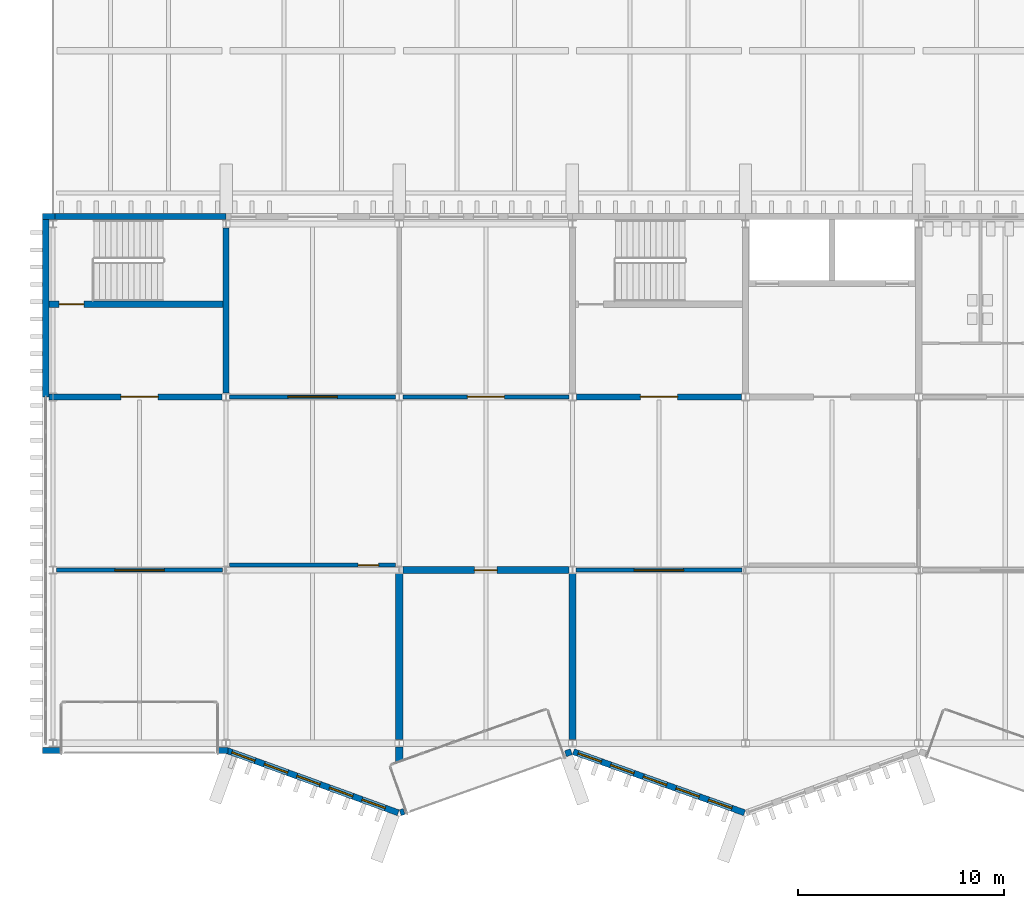
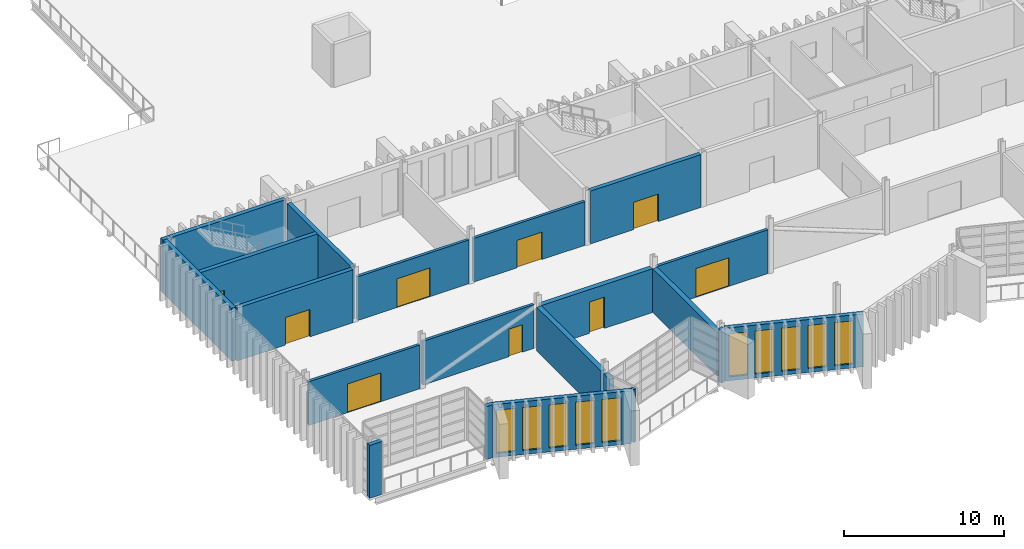
# One storey, part 56 of 96: 22 walls, 10 windows, 9 doors, 19 openings.
"""IFC4 building model written with IfcOpenShell, lengths in metres."""

import ifcopenshell
import ifcopenshell.guid

model = None  # the IFC model being written
_history = None  # IfcOwnerHistory: only IFC2X3 demands one
_inside = {}  # id of a spatial element -> (the spatial element, [elements in it])
_under = {}  # id of a project, library or spatial element -> (it, [spatial elements below it])
_declared = {}  # id of a project -> (the project, [libraries it declares])
_typed = {}  # id of a type object -> (the type object, [elements of that type])
_made_of = {}  # id of a material, layer set ... -> (it, [elements and type objects made of it])


def new_model(schema):
    """Start an empty IFC model of exactly this schema.

    Asked for "IFC4X3", IfcOpenShell would pick the latest addendum, in which some entities
    have other attributes; the version numbers below select the first issue.
    IFC2X3 requires an IfcOwnerHistory on every rooted entity: one is made here for all.
    """
    global model, _history
    if schema == "IFC4X3":
        model = ifcopenshell.file(schema_version=(4, 3, 0, 0))
    else:
        model = ifcopenshell.file(schema=schema)
    _inside.clear()
    _under.clear()
    _declared.clear()
    _typed.clear()
    _made_of.clear()
    _history = None
    if model.schema == "IFC2X3":
        org = make("IfcOrganization", Name="unknown")
        user = make(
            "IfcPersonAndOrganization",
            ThePerson=make("IfcPerson", FamilyName="unknown"),
            TheOrganization=org,
        )
        app = make(
            "IfcApplication",
            ApplicationDeveloper=org,
            Version="unknown",
            ApplicationFullName="unknown",
            ApplicationIdentifier="unknown",
        )
        _history = make(
            "IfcOwnerHistory",
            OwningUser=user,
            OwningApplication=app,
            ChangeAction="ADDED",
            CreationDate=0,
        )
    return model


def make(cls, **values):
    """One entity of the class cls with the attributes given. An attribute that is None is left unset."""
    return model.create_entity(
        cls, **{name: value for name, value in values.items() if value is not None}
    )


def rooted(cls, **values):
    """An entity with a GlobalId (a new one), such as an element, a storey or a relation."""
    return make(cls, GlobalId=ifcopenshell.guid.new(), OwnerHistory=_history, **values)


def si_unit(unit_type, name, prefix=None):
    """IfcSIUnit, for example si_unit("LENGTHUNIT", "METRE", prefix="MILLI")."""
    return make("IfcSIUnit", UnitType=unit_type, Prefix=prefix, Name=name)


def assignment(units):
    """IfcUnitAssignment: the units of a project."""
    return None if units is None else make("IfcUnitAssignment", Units=units)


def point(xyz):
    """IfcCartesianPoint."""
    return None if xyz is None else make("IfcCartesianPoint", Coordinates=xyz)


def direction(xyz):
    """IfcDirection."""
    return None if xyz is None else make("IfcDirection", DirectionRatios=xyz)


def frame(location, z_axis=None, x_axis=None):
    """IfcAxis2Placement3D, a coordinate frame: its origin and axes. An axis left out is left unset."""
    return make(
        "IfcAxis2Placement3D",
        Location=point(location),
        Axis=direction(z_axis),
        RefDirection=direction(x_axis),
    )


def frame_2d(location, x_axis=None):
    """IfcAxis2Placement2D, a coordinate frame in the plane: its origin and x axis."""
    return make(
        "IfcAxis2Placement2D", Location=point(location), RefDirection=direction(x_axis)
    )


def origin():
    """The frame at (0, 0, 0) with its axes left unset."""
    return frame((0.0, 0.0, 0.0))


def place(relative_to, where):
    """IfcLocalPlacement: puts the frame where relative to a parent placement (None: the world)."""
    return make(
        "IfcLocalPlacement", PlacementRelTo=relative_to, RelativePlacement=where
    )


def context(
    kind, dimensions, precision=None, world=None, true_north=None, identifier=None
):
    """IfcGeometricRepresentationContext, for example the 3D "Model" context."""
    return make(
        "IfcGeometricRepresentationContext",
        ContextIdentifier=identifier,
        ContextType=kind,
        CoordinateSpaceDimension=dimensions,
        Precision=precision,
        WorldCoordinateSystem=world,
        TrueNorth=true_north,
    )


def subcontext(parent, identifier, kind, view, scale=None):
    """IfcGeometricRepresentationSubContext, for example "Body" below "Model"."""
    return make(
        "IfcGeometricRepresentationSubContext",
        ContextIdentifier=identifier,
        ContextType=kind,
        ParentContext=parent,
        TargetScale=scale,
        TargetView=view,
    )


def project(units=None, contexts=None):
    """IfcProject with its units and contexts."""
    return rooted(
        "IfcProject",
        Name="project",
        RepresentationContexts=contexts,
        UnitsInContext=assignment(units),
    )


def spatial(cls, under=None, at=None, **own):
    """A site, building, storey or space (cls), placed at a placement, below another one or the project."""
    s = rooted(cls, ObjectPlacement=at, **own)
    if under is not None:
        _under.setdefault(under.id(), (under, []))[1].append(s)
    return s


def profile(cls, at=None, kind="AREA", **sizes):
    """A parametric profile (cls). Its sizes go by their IFC names, for example OverallWidth=200.0."""
    return make(cls, ProfileType=kind, Position=at, **sizes)


def rectangle(**sizes):
    """IfcRectangleProfileDef."""
    return profile("IfcRectangleProfileDef", **sizes)


def extrude(swept, where, along, depth):
    """IfcExtrudedAreaSolid: the profile swept, set in the frame where, extruded along a direction by depth."""
    return make(
        "IfcExtrudedAreaSolid",
        SweptArea=swept,
        Position=where,
        ExtrudedDirection=direction(along),
        Depth=depth,
    )


def shape(context_of_items, identifier, shape_type, items):
    """IfcShapeRepresentation: the items that make up one representation, for example the "Body"."""
    return make(
        "IfcShapeRepresentation",
        ContextOfItems=context_of_items,
        RepresentationIdentifier=identifier,
        RepresentationType=shape_type,
        Items=items,
    )


def material(Name=None, Category=None):
    """IfcMaterial."""
    return make("IfcMaterial", Name=Name, Category=Category)


def layer(
    of_material, thickness, ventilated=None, Name=None, Category=None, Priority=None
):
    """IfcMaterialLayer: one layer of a wall or slab, of a material (None: an air gap)."""
    return make(
        "IfcMaterialLayer",
        Material=of_material,
        LayerThickness=thickness,
        IsVentilated=ventilated,
        Name=Name,
        Category=Category,
        Priority=Priority,
    )


def layer_set(layers, Name=None):
    """IfcMaterialLayerSet."""
    return make("IfcMaterialLayerSet", MaterialLayers=layers, LayerSetName=Name)


def made_of(thing, what):
    """Note that an element or type object is made of a material, layer set ...; save() writes the relation."""
    if what is not None:
        _made_of.setdefault(what.id(), (what, []))[1].append(thing)
    return thing


def type_object(cls, material=None, **own):
    """A type object (cls), such as IfcWallType, which elements share."""
    return made_of(rooted(cls, **own), material)


def element(
    cls,
    number,
    at=None,
    inside=None,
    cuts=None,
    type_object=None,
    material=None,
    context=None,
    identifier="Body",
    shape_type=None,
    held_by="IfcProductDefinitionShape",
    body=None,
    shapes=None,
    **own,
):
    """One element of the class cls, such as IfcWall. Its Tag is "e" and its number.

    at: its placement. inside: the storey or other place that contains it. cuts: it is an
    opening in that element (IfcRelVoidsElement). A single representation is given by context,
    identifier, shape_type and body (its items); several are given by shapes. held_by: the class
    of the entity that holds the representations. save() writes the other relations.
    """
    e = rooted(cls, Tag="e%d" % number, ObjectPlacement=at, **own)
    if body is not None:
        shapes = [shape(context, identifier, shape_type, body)]
    if shapes is not None:
        e.Representation = make(held_by, Representations=shapes)
    if inside is not None:
        _inside.setdefault(inside.id(), (inside, []))[1].append(e)
    if cuts is not None:
        rooted(
            "IfcRelVoidsElement", RelatingBuildingElement=cuts, RelatedOpeningElement=e
        )
    if type_object is not None:
        _typed.setdefault(type_object.id(), (type_object, []))[1].append(e)
    return made_of(e, material)


def fill(opening, filler):
    """IfcRelFillsElement: the door or window that sits in an opening."""
    return rooted(
        "IfcRelFillsElement",
        RelatingOpeningElement=opening,
        RelatedBuildingElement=filler,
    )


def aggregate(whole, parts):
    """IfcRelAggregates: a whole, such as a stair, and the parts it consists of."""
    return rooted("IfcRelAggregates", RelatingObject=whole, RelatedObjects=parts)


def save(model, path):
    """Write the relations noted so far, then the file.

    IfcRelAggregates (storeys below a building ...), IfcRelContainedInSpatialStructure (elements
    in a storey), IfcRelDefinesByType, IfcRelAssociatesMaterial and IfcRelDeclares: one each for
    every whole, place, type object, material and project.
    """
    for whole, parts in _under.values():
        aggregate(whole, parts)
    for where, things in _inside.values():
        rooted(
            "IfcRelContainedInSpatialStructure",
            RelatedElements=things,
            RelatingStructure=where,
        )
    for kind, things in _typed.values():
        rooted("IfcRelDefinesByType", RelatedObjects=things, RelatingType=kind)
    for what, things in _made_of.values():
        rooted("IfcRelAssociatesMaterial", RelatedObjects=things, RelatingMaterial=what)
    for by, libraries in _declared.values():
        rooted("IfcRelDeclares", RelatingContext=by, RelatedDefinitions=libraries)
    model.write(path)


model = new_model("IFC4")

# Units and contexts
model_context = context("Model", 3, precision=1e-05, world=origin(), true_north=direction((0.0, 1.0)))
body_context = subcontext(model_context, "Body", "Model", "MODEL_VIEW")
ifc_project = project(units=[si_unit("LENGTHUNIT", "METRE"), si_unit("AREAUNIT", "SQUARE_METRE"), si_unit("VOLUMEUNIT", "CUBIC_METRE"), si_unit("PLANEANGLEUNIT", "RADIAN"), si_unit("MASSUNIT", "GRAM", prefix="KILO")], contexts=[model_context])

# Site, building, storey
site_placement = place(None, origin())
site = spatial("IfcSite", under=ifc_project, at=site_placement, CompositionType="ELEMENT")
building_placement = place(site_placement, origin())
building = spatial("IfcBuilding", under=site, at=building_placement, Name="Cresset Court Congress Hotel", CompositionType="ELEMENT")
storey_placement = place(building_placement, frame((0.0, 0.0, 6.0)))
storey = spatial("IfcBuildingStorey", under=building, at=storey_placement, Name="L01", CompositionType="ELEMENT", Elevation=6.0)

# Wall, opening, door
ifc_material_1 = material(Name="Double gypsum board leaves on steel studs with mineral wool", Category="steel")
ifc_layer_1 = layer(ifc_material_1, 0.35009765625)
ifc_layer_set_1 = layer_set([ifc_layer_1], Name="Acoustic double-leaf boardroom wall 350")
wall_type_1 = type_object("IfcWallType", Name="Acoustic double-leaf boardroom wall 350", PredefinedType="PARTITIONING", material=ifc_layer_set_1)
wall_1_placement = place(storey_placement, frame((25.375, 8.39990234375, 0.0), z_axis=(0.0, 0.0, 1.0), x_axis=(1.0, 0.0, 0.0)))
wall_1 = element("IfcWall", 1, at=wall_1_placement, inside=storey, type_object=wall_type_1, Name="Boardroom acoustic wall", PredefinedType="PARTITIONING", context=body_context, shape_type="SweptSolid", body=[
    extrude(rectangle(XDim=8.050048828125, YDim=0.35009765625, at=frame_2d((4.02490234375, 0.0))), origin(), (0.0, 0.0, 1.0), 3.35009765625),
])
opening_1_placement = place(wall_1_placement, frame((3.47509765625, 0.0, 0.0)))
opening_1 = element("IfcOpeningElement", 2, at=opening_1_placement, cuts=wall_1, Name="Opening DB-01-07", PredefinedType="OPENING", context=body_context, shape_type="SweptSolid", body=[
    extrude(rectangle(XDim=1.10009765625, YDim=2.39990234375, at=frame_2d((0.550048828125, 1.199951171875))), frame((0.0, 0.18505859375, 0.0), z_axis=(0.0, -1.0, 0.0), x_axis=(1.0, 0.0, 0.0)), (0.0, 0.0, 1.0), 0.3701171875),
])
ifc_material_2 = material(Name="Solid-core timber with acoustic seals", Category="wood")
door_type_1 = type_object("IfcDoorType", Name="Boardroom acoustic door FD30 1100x2400", OperationType="SINGLE_SWING_LEFT", PredefinedType="DOOR", material=ifc_material_2)
door_1_placement = place(opening_1_placement, origin())
door_1 = element("IfcDoor", 3, at=door_1_placement, inside=storey, type_object=door_type_1, Name="Boardroom door", OperationType="SINGLE_SWING_LEFT", OverallHeight=2.39990234375, OverallWidth=1.10009765625, PredefinedType="DOOR", context=body_context, shape_type="SweptSolid", body=[
    extrude(rectangle(XDim=1.10009765625, YDim=2.39990234375, at=frame_2d((0.550048828125, 1.199951171875))), frame((0.0, 0.02490234375, 0.0), z_axis=(0.0, -1.0, 0.0), x_axis=(1.0, 0.0, 0.0)), (0.0, 0.0, 1.0), 0.050048828125),
])
fill(opening_1, door_1)

# Walls
wall_2_placement = place(storey_placement, frame((25.199951171875, -0.895263671875, 0.0), z_axis=(0.0, 0.0, 1.0), x_axis=(0.0, 1.0, 0.0)))
element("IfcWall", 4, at=wall_2_placement, inside=storey, type_object=wall_type_1, Name="Boardroom acoustic wall", PredefinedType="PARTITIONING", context=body_context, shape_type="SweptSolid", body=[
    extrude(rectangle(XDim=0.72021484375, YDim=0.35009765625, at=frame_2d((0.360107421875, 0.0))), origin(), (0.0, 0.0, 1.0), 3.35009765625),
])
for number, where, z_axis, x_axis, name in (
    (5, (25.199951171875, 0.175048828125, 0.0), (0.0, 0.0, 1.0), (0.0, 1.0, 0.0), "Boardroom acoustic wall"),
    (6, (33.60009765625, 0.175048828125, 0.0), (0.0, 0.0, 1.0), (0.0, 1.0, 0.0), "Boardroom acoustic wall"),
):
    element("IfcWall", number, at=place(storey_placement, frame(where, z_axis=z_axis, x_axis=x_axis)), inside=storey, type_object=wall_type_1, Name=name, PredefinedType="PARTITIONING", context=body_context, shape_type="SweptSolid", body=[
        extrude(rectangle(XDim=8.050048828125, YDim=0.35009765625, at=frame_2d((4.02490234375, 0.0))), origin(), (0.0, 0.0, 1.0), 3.35009765625),
    ])
ifc_material_3 = material(Name="Concrete C50", Category="concrete")
ifc_layer_2 = layer(ifc_material_3, 0.300048828125)
ifc_layer_set_2 = layer_set([ifc_layer_2], Name="Core wall 300 Concrete C50")
wall_type_2 = type_object("IfcWallType", Name="Core wall 300 Concrete C50", PredefinedType="SHEAR", material=ifc_layer_set_2)
wall_3_placement = place(storey_placement, frame((16.800048828125, 17.0, 0.0), z_axis=(0.0, 0.0, 1.0), x_axis=(0.0, 1.0, 0.0)))
element("IfcWall", 7, at=wall_3_placement, inside=storey, type_object=wall_type_2, Name="Core wall ST-B1", PredefinedType="SHEAR", context=body_context, shape_type="SweptSolid", body=[
    extrude(rectangle(XDim=8.0, YDim=0.300048828125, at=frame_2d((4.0, 0.0))), origin(), (0.0, 0.0, 1.0), 4.050048828125),
])

# Wall, opening, door
wall_4_placement = place(storey_placement, frame((8.199951171875, 16.800048828125, 0.0), z_axis=(0.0, 0.0, 1.0), x_axis=(1.0, 0.0, 0.0)))
wall_4 = element("IfcWall", 8, at=wall_4_placement, inside=storey, type_object=wall_type_2, Name="Core wall ST-B1", PredefinedType="SHEAR", context=body_context, shape_type="SweptSolid", body=[
    extrude(rectangle(XDim=8.400146484375, YDim=0.300048828125, at=frame_2d((4.2001953125, 0.0))), origin(), (0.0, 0.0, 1.0), 4.050048828125),
])
opening_2_placement = place(wall_4_placement, frame((3.5, 0.0, 0.0)))
opening_2 = element("IfcOpeningElement", 9, at=opening_2_placement, cuts=wall_4, Name="Opening DB-01-46", PredefinedType="OPENING", context=body_context, shape_type="SweptSolid", body=[
    extrude(rectangle(XDim=1.800048828125, YDim=2.10009765625, at=frame_2d((0.89990234375, 1.050048828125))), frame((0.0, 0.159912109375, 0.0), z_axis=(0.0, -1.0, 0.0), x_axis=(1.0, 0.0, 0.0)), (0.0, 0.0, 1.0), 0.320068359375),
])
ifc_material_4 = material(Name="Timber and steel frame", Category="steel")
door_type_2 = type_object("IfcDoorType", Name="Lobby fire door FD60 double 1800x2100", OperationType="DOUBLE_DOOR_SINGLE_SWING", PredefinedType="DOOR", material=ifc_material_4)
door_2_placement = place(opening_2_placement, origin())
door_2 = element("IfcDoor", 10, at=door_2_placement, inside=storey, type_object=door_type_2, Name="Stair lobby door ST-B1", OperationType="DOUBLE_DOOR_SINGLE_SWING", OverallHeight=2.10009765625, OverallWidth=1.800048828125, PredefinedType="DOOR", context=body_context, shape_type="SweptSolid", body=[
    extrude(rectangle(XDim=1.800048828125, YDim=2.10009765625, at=frame_2d((0.89990234375, 1.050048828125))), frame((0.0, 0.02490234375, 0.0), z_axis=(0.0, -1.0, 0.0), x_axis=(1.0, 0.0, 0.0)), (0.0, 0.0, 1.0), 0.050048828125),
])
fill(opening_2, door_2)

wall_5_placement = place(storey_placement, frame((8.199951171875, 21.300048828125, 0.0), z_axis=(0.0, 0.0, 1.0), x_axis=(1.0, 0.0, 0.0)))
wall_5 = element("IfcWall", 11, at=wall_5_placement, inside=storey, type_object=wall_type_2, Name="Core wall ST-B1", PredefinedType="SHEAR", context=body_context, shape_type="SweptSolid", body=[
    extrude(rectangle(XDim=8.449951171875, YDim=0.300048828125, at=frame_2d((4.22509765625, 0.0))), origin(), (0.0, 0.0, 1.0), 4.050048828125),
])
opening_3_placement = place(wall_5_placement, frame((0.5, 0.0, 0.0)))
opening_3 = element("IfcOpeningElement", 12, at=opening_3_placement, cuts=wall_5, Name="Opening DB-01-45", PredefinedType="OPENING", context=body_context, shape_type="SweptSolid", body=[
    extrude(rectangle(XDim=1.199951171875, YDim=2.10009765625, at=frame_2d((0.60009765625, 1.050048828125))), frame((0.0, 0.159912109375, 0.0), z_axis=(0.0, -1.0, 0.0), x_axis=(1.0, 0.0, 0.0)), (0.0, 0.0, 1.0), 0.320068359375),
])
ifc_material_5 = material(Name="Timber and steel frame", Category="steel")
door_type_3 = type_object("IfcDoorType", Name="Stair fire door FD60 1200x2100", OperationType="SINGLE_SWING_LEFT", PredefinedType="DOOR", material=ifc_material_5)
door_3_placement = place(opening_3_placement, origin())
door_3 = element("IfcDoor", 13, at=door_3_placement, inside=storey, type_object=door_type_3, Name="Stair door ST-B1", OperationType="SINGLE_SWING_LEFT", OverallHeight=2.10009765625, OverallWidth=1.199951171875, PredefinedType="DOOR", context=body_context, shape_type="SweptSolid", body=[
    extrude(rectangle(XDim=1.199951171875, YDim=2.10009765625, at=frame_2d((0.60009765625, 1.050048828125))), frame((0.0, 0.02490234375, 0.0), z_axis=(0.0, -1.0, 0.0), x_axis=(1.0, 0.0, 0.0)), (0.0, 0.0, 1.0), 0.050048828125),
])
fill(opening_3, door_3)

wall_6_placement = place(storey_placement, frame((33.800048828125, 16.800048828125, 0.0), z_axis=(0.0, 0.0, 1.0), x_axis=(1.0, 0.0, 0.0)))
wall_6 = element("IfcWall", 14, at=wall_6_placement, inside=storey, type_object=wall_type_2, Name="Core wall ST-B2", PredefinedType="SHEAR", context=body_context, shape_type="SweptSolid", body=[
    extrude(rectangle(XDim=8.0, YDim=0.300048828125, at=frame_2d((4.0, 0.0))), origin(), (0.0, 0.0, 1.0), 4.050048828125),
])
opening_4_placement = place(wall_6_placement, frame((3.10009765625, 0.0, 0.0)))
opening_4 = element("IfcOpeningElement", 15, at=opening_4_placement, cuts=wall_6, Name="Opening DB-01-48", PredefinedType="OPENING", context=body_context, shape_type="SweptSolid", body=[
    extrude(rectangle(XDim=1.800048828125, YDim=2.10009765625, at=frame_2d((0.89990234375, 1.050048828125))), frame((0.0, 0.159912109375, 0.0), z_axis=(0.0, -1.0, 0.0), x_axis=(1.0, 0.0, 0.0)), (0.0, 0.0, 1.0), 0.320068359375),
])
door_4_placement = place(opening_4_placement, origin())
door_4 = element("IfcDoor", 16, at=door_4_placement, inside=storey, type_object=door_type_2, Name="Stair lobby door ST-B2", OperationType="DOUBLE_DOOR_SINGLE_SWING", OverallHeight=2.10009765625, OverallWidth=1.800048828125, PredefinedType="DOOR", context=body_context, shape_type="SweptSolid", body=[
    extrude(rectangle(XDim=1.800048828125, YDim=2.10009765625, at=frame_2d((0.89990234375, 1.050048828125))), frame((0.0, 0.02490234375, 0.0), z_axis=(0.0, -1.0, 0.0), x_axis=(1.0, 0.0, 0.0)), (0.0, 0.0, 1.0), 0.050048828125),
])
fill(opening_4, door_4)

# Walls
ifc_material_6 = material(Name="Concrete C50", Category="concrete")
ifc_layer_3 = layer(ifc_material_6, 0.300048828125)
ifc_layer_set_3 = layer_set([ifc_layer_3], Name="Core wall 300 Concrete C50 external")
wall_type_3 = type_object("IfcWallType", Name="Core wall 300 Concrete C50 external", PredefinedType="SHEAR", material=ifc_layer_set_3)
wall_7_placement = place(storey_placement, frame((8.050048828125, 16.800048828125, 0.0), z_axis=(0.0, 0.0, 1.0), x_axis=(0.0, 1.0, 0.0)))
element("IfcWall", 17, at=wall_7_placement, inside=storey, type_object=wall_type_3, Name="Core wall ST-B1", PredefinedType="SHEAR", context=body_context, shape_type="SweptSolid", body=[
    extrude(rectangle(XDim=8.599853515625, YDim=0.300048828125, at=frame_2d((4.2998046875, 0.0))), origin(), (0.0, 0.0, 1.0), 4.050048828125),
])
wall_8_placement = place(storey_placement, frame((8.39990234375, 25.550048828125, 0.0), z_axis=(0.0, 0.0, 1.0), x_axis=(1.0, 0.0, 0.0)))
element("IfcWall", 18, at=wall_8_placement, inside=storey, type_object=wall_type_3, Name="Core wall ST-B1", PredefinedType="SHEAR", context=body_context, shape_type="SweptSolid", body=[
    extrude(rectangle(XDim=8.400146484375, YDim=0.300048828125, at=frame_2d((4.2001953125, 0.0))), origin(), (0.0, 0.0, 1.0), 4.050048828125),
])
ifc_material_7 = material(Name="Concrete C40", Category="concrete")
ifc_layer_4 = layer(ifc_material_7, 0.300048828125)
ifc_layer_set_4 = layer_set([ifc_layer_4], Name="External wall 300 Concrete C40")
wall_type_4 = type_object("IfcWallType", Name="External wall 300 Concrete C40", PredefinedType="SOLIDWALL", material=ifc_layer_set_4)
wall_9_placement = place(storey_placement, frame((7.89990234375, -0.35009765625, 0.0), z_axis=(0.0, 0.0, 1.0), x_axis=(1.0, 0.0, 0.0)))
element("IfcWall", 19, at=wall_9_placement, inside=storey, type_object=wall_type_4, Name="External wall", PredefinedType="SOLIDWALL", context=body_context, shape_type="SweptSolid", body=[
    extrude(rectangle(XDim=0.900146484375, YDim=0.300048828125, at=frame_2d((0.4501953125, 0.0))), origin(), (0.0, 0.0, 1.0), 4.050048828125),
])
wall_10_placement = place(storey_placement, frame((16.39990234375, -0.35009765625, 0.0), z_axis=(0.0, 0.0, 1.0), x_axis=(1.0, 0.0, 0.0)))
element("IfcWall", 20, at=wall_10_placement, inside=storey, type_object=wall_type_4, Name="External wall", PredefinedType="SOLIDWALL", context=body_context, shape_type="SweptSolid", body=[
    extrude(rectangle(XDim=0.5, YDim=0.300048828125, at=frame_2d((0.25, 0.0))), origin(), (0.0, 0.0, 1.0), 4.050048828125),
])

# Wall, openings, windows
wall_11_placement = place(storey_placement, frame((16.851318359375, -0.35888671875, 0.0), z_axis=(0.0, 0.0, 1.0), x_axis=(0.939953187971, -0.341303390584, 0.0)))
wall_11 = element("IfcWall", 21, at=wall_11_placement, inside=storey, type_object=wall_type_4, Name="External wall", PredefinedType="SOLIDWALL", context=body_context, shape_type="SweptSolid", body=[
    extrude(rectangle(XDim=8.828369140625, YDim=0.300048828125, at=frame_2d((4.4140625, 0.0))), origin(), (0.0, 0.0, 1.0), 4.050048828125),
])
opening_5_placement = place(wall_11_placement, frame((0.239990234375, 0.0, 0.300048828125)))
opening_5 = element("IfcOpeningElement", 22, at=opening_5_placement, cuts=wall_11, Name="Opening NB-01-14", PredefinedType="OPENING", context=body_context, shape_type="SweptSolid", body=[
    extrude(rectangle(XDim=1.199951171875, YDim=3.300048828125, at=frame_2d((0.60009765625, 1.64990234375))), frame((0.0, 0.159912109375, 0.0), z_axis=(0.0, -1.0, 0.0), x_axis=(1.0, 0.0, 0.0)), (0.0, 0.0, 1.0), 0.320068359375),
])
opening_6_placement = place(wall_11_placement, frame((1.919921875, 0.0, 0.300048828125)))
opening_6 = element("IfcOpeningElement", 23, at=opening_6_placement, cuts=wall_11, Name="Opening NB-01-15", PredefinedType="OPENING", context=body_context, shape_type="SweptSolid", body=[
    extrude(rectangle(XDim=1.199951171875, YDim=3.300048828125, at=frame_2d((0.60009765625, 1.64990234375))), frame((0.0, 0.159912109375, 0.0), z_axis=(0.0, -1.0, 0.0), x_axis=(1.0, 0.0, 0.0)), (0.0, 0.0, 1.0), 0.320068359375),
])
opening_7_placement = place(wall_11_placement, frame((3.60009765625, 0.0, 0.300048828125)))
opening_7 = element("IfcOpeningElement", 24, at=opening_7_placement, cuts=wall_11, Name="Opening NB-01-16", PredefinedType="OPENING", context=body_context, shape_type="SweptSolid", body=[
    extrude(rectangle(XDim=1.199951171875, YDim=3.300048828125, at=frame_2d((0.60009765625, 1.64990234375))), frame((0.0, 0.159912109375, 0.0), z_axis=(0.0, -1.0, 0.0), x_axis=(1.0, 0.0, 0.0)), (0.0, 0.0, 1.0), 0.320068359375),
])
opening_8_placement = place(wall_11_placement, frame((5.280029296875, 0.0, 0.300048828125)))
opening_8 = element("IfcOpeningElement", 25, at=opening_8_placement, cuts=wall_11, Name="Opening NB-01-17", PredefinedType="OPENING", context=body_context, shape_type="SweptSolid", body=[
    extrude(rectangle(XDim=1.199951171875, YDim=3.300048828125, at=frame_2d((0.60009765625, 1.64990234375))), frame((0.0, 0.159912109375, 0.0), z_axis=(0.0, -1.0, 0.0), x_axis=(1.0, 0.0, 0.0)), (0.0, 0.0, 1.0), 0.320068359375),
])
opening_9_placement = place(wall_11_placement, frame((6.9599609375, 0.0, 0.300048828125)))
opening_9 = element("IfcOpeningElement", 26, at=opening_9_placement, cuts=wall_11, Name="Opening NB-01-18", PredefinedType="OPENING", context=body_context, shape_type="SweptSolid", body=[
    extrude(rectangle(XDim=1.199951171875, YDim=3.300048828125, at=frame_2d((0.60009765625, 1.64990234375))), frame((0.0, 0.159912109375, 0.0), z_axis=(0.0, -1.0, 0.0), x_axis=(1.0, 0.0, 0.0)), (0.0, 0.0, 1.0), 0.320068359375),
])
ifc_material_8 = material(Name="Aluminium frame with double glazing", Category="aluminium")
window_type = type_object("IfcWindowType", Name="Window 1200x3300", PartitioningType="TRIPLE_PANEL_VERTICAL", PredefinedType="WINDOW", material=ifc_material_8)
window_1_placement = place(opening_5_placement, origin())
window_1 = element("IfcWindow", 27, at=window_1_placement, inside=storey, type_object=window_type, Name="Window NB-01-14", OverallHeight=3.300048828125, OverallWidth=1.199951171875, PartitioningType="TRIPLE_PANEL_VERTICAL", PredefinedType="WINDOW", context=body_context, shape_type="SweptSolid", body=[
    extrude(rectangle(XDim=1.199951171875, YDim=3.300048828125, at=frame_2d((0.60009765625, 1.64990234375))), frame((0.0, 0.030029296875, 0.0), z_axis=(0.0, -1.0, 0.0), x_axis=(1.0, 0.0, 0.0)), (0.0, 0.0, 1.0), 0.06005859375),
])
fill(opening_5, window_1)
window_2_placement = place(opening_6_placement, origin())
window_2 = element("IfcWindow", 28, at=window_2_placement, inside=storey, type_object=window_type, Name="Window NB-01-15", OverallHeight=3.300048828125, OverallWidth=1.199951171875, PartitioningType="TRIPLE_PANEL_VERTICAL", PredefinedType="WINDOW", context=body_context, shape_type="SweptSolid", body=[
    extrude(rectangle(XDim=1.199951171875, YDim=3.300048828125, at=frame_2d((0.60009765625, 1.64990234375))), frame((0.0, 0.030029296875, 0.0), z_axis=(0.0, -1.0, 0.0), x_axis=(1.0, 0.0, 0.0)), (0.0, 0.0, 1.0), 0.06005859375),
])
fill(opening_6, window_2)
window_3_placement = place(opening_7_placement, origin())
window_3 = element("IfcWindow", 29, at=window_3_placement, inside=storey, type_object=window_type, Name="Window NB-01-16", OverallHeight=3.300048828125, OverallWidth=1.199951171875, PartitioningType="TRIPLE_PANEL_VERTICAL", PredefinedType="WINDOW", context=body_context, shape_type="SweptSolid", body=[
    extrude(rectangle(XDim=1.199951171875, YDim=3.300048828125, at=frame_2d((0.60009765625, 1.64990234375))), frame((0.0, 0.030029296875, 0.0), z_axis=(0.0, -1.0, 0.0), x_axis=(1.0, 0.0, 0.0)), (0.0, 0.0, 1.0), 0.06005859375),
])
fill(opening_7, window_3)
window_4_placement = place(opening_8_placement, origin())
window_4 = element("IfcWindow", 30, at=window_4_placement, inside=storey, type_object=window_type, Name="Window NB-01-17", OverallHeight=3.300048828125, OverallWidth=1.199951171875, PartitioningType="TRIPLE_PANEL_VERTICAL", PredefinedType="WINDOW", context=body_context, shape_type="SweptSolid", body=[
    extrude(rectangle(XDim=1.199951171875, YDim=3.300048828125, at=frame_2d((0.60009765625, 1.64990234375))), frame((0.0, 0.030029296875, 0.0), z_axis=(0.0, -1.0, 0.0), x_axis=(1.0, 0.0, 0.0)), (0.0, 0.0, 1.0), 0.06005859375),
])
fill(opening_8, window_4)
window_5_placement = place(opening_9_placement, origin())
window_5 = element("IfcWindow", 31, at=window_5_placement, inside=storey, type_object=window_type, Name="Window NB-01-18", OverallHeight=3.300048828125, OverallWidth=1.199951171875, PartitioningType="TRIPLE_PANEL_VERTICAL", PredefinedType="WINDOW", context=body_context, shape_type="SweptSolid", body=[
    extrude(rectangle(XDim=1.199951171875, YDim=3.300048828125, at=frame_2d((0.60009765625, 1.64990234375))), frame((0.0, 0.030029296875, 0.0), z_axis=(0.0, -1.0, 0.0), x_axis=(1.0, 0.0, 0.0)), (0.0, 0.0, 1.0), 0.06005859375),
])
fill(opening_9, window_5)

# Walls
wall_12_placement = place(storey_placement, frame((25.251220703125, -3.372314453125, 0.0), z_axis=(0.0, 0.0, 1.0), x_axis=(0.942000485661, 0.335611509061, 0.0)))
element("IfcWall", 32, at=wall_12_placement, inside=storey, type_object=wall_type_4, Name="External wall", PredefinedType="SOLIDWALL", context=body_context, shape_type="SweptSolid", body=[
    extrude(rectangle(XDim=0.192138671875, YDim=0.300048828125, at=frame_2d((0.09619140625, 0.0))), origin(), (0.0, 0.0, 1.0), 4.050048828125),
])
wall_13_placement = place(storey_placement, frame((33.26708984375, -0.509521484375, 0.0), z_axis=(0.0, 0.0, 1.0), x_axis=(0.941797147708, 0.336181695768, 0.0)))
element("IfcWall", 33, at=wall_13_placement, inside=storey, type_object=wall_type_4, Name="External wall", PredefinedType="SOLIDWALL", context=body_context, shape_type="SweptSolid", body=[
    extrude(rectangle(XDim=0.300048828125, YDim=0.300048828125, at=frame_2d((0.14990234375, 0.0))), origin(), (0.0, 0.0, 1.0), 4.050048828125),
])

# Wall, openings, windows
wall_14_placement = place(storey_placement, frame((33.650390625, -0.40869140625, 0.0), z_axis=(0.0, 0.0, 1.0), x_axis=(0.941736270411, -0.336352191894, 0.0)))
wall_14 = element("IfcWall", 34, at=wall_14_placement, inside=storey, type_object=wall_type_4, Name="External wall", PredefinedType="SOLIDWALL", context=body_context, shape_type="SweptSolid", body=[
    extrude(rectangle(XDim=8.8125, YDim=0.300048828125, at=frame_2d((4.40625, 0.0))), origin(), (0.0, 0.0, 1.0), 4.050048828125),
])
opening_10_placement = place(wall_14_placement, frame((0.239990234375, 0.0, 0.300048828125)))
opening_10 = element("IfcOpeningElement", 35, at=opening_10_placement, cuts=wall_14, Name="Opening NB-01-19", PredefinedType="OPENING", context=body_context, shape_type="SweptSolid", body=[
    extrude(rectangle(XDim=1.199951171875, YDim=3.300048828125, at=frame_2d((0.60009765625, 1.64990234375))), frame((0.0, 0.159912109375, 0.0), z_axis=(0.0, -1.0, 0.0), x_axis=(1.0, 0.0, 0.0)), (0.0, 0.0, 1.0), 0.320068359375),
])
opening_11_placement = place(wall_14_placement, frame((1.919921875, 0.0, 0.300048828125)))
opening_11 = element("IfcOpeningElement", 36, at=opening_11_placement, cuts=wall_14, Name="Opening NB-01-20", PredefinedType="OPENING", context=body_context, shape_type="SweptSolid", body=[
    extrude(rectangle(XDim=1.199951171875, YDim=3.300048828125, at=frame_2d((0.60009765625, 1.64990234375))), frame((0.0, 0.159912109375, 0.0), z_axis=(0.0, -1.0, 0.0), x_axis=(1.0, 0.0, 0.0)), (0.0, 0.0, 1.0), 0.320068359375),
])
opening_12_placement = place(wall_14_placement, frame((3.60009765625, 0.0, 0.300048828125)))
opening_12 = element("IfcOpeningElement", 37, at=opening_12_placement, cuts=wall_14, Name="Opening NB-01-21", PredefinedType="OPENING", context=body_context, shape_type="SweptSolid", body=[
    extrude(rectangle(XDim=1.199951171875, YDim=3.300048828125, at=frame_2d((0.60009765625, 1.64990234375))), frame((0.0, 0.159912109375, 0.0), z_axis=(0.0, -1.0, 0.0), x_axis=(1.0, 0.0, 0.0)), (0.0, 0.0, 1.0), 0.320068359375),
])
opening_13_placement = place(wall_14_placement, frame((5.280029296875, 0.0, 0.300048828125)))
opening_13 = element("IfcOpeningElement", 38, at=opening_13_placement, cuts=wall_14, Name="Opening NB-01-22", PredefinedType="OPENING", context=body_context, shape_type="SweptSolid", body=[
    extrude(rectangle(XDim=1.199951171875, YDim=3.300048828125, at=frame_2d((0.60009765625, 1.64990234375))), frame((0.0, 0.159912109375, 0.0), z_axis=(0.0, -1.0, 0.0), x_axis=(1.0, 0.0, 0.0)), (0.0, 0.0, 1.0), 0.320068359375),
])
opening_14_placement = place(wall_14_placement, frame((6.9599609375, 0.0, 0.300048828125)))
opening_14 = element("IfcOpeningElement", 39, at=opening_14_placement, cuts=wall_14, Name="Opening NB-01-23", PredefinedType="OPENING", context=body_context, shape_type="SweptSolid", body=[
    extrude(rectangle(XDim=1.199951171875, YDim=3.300048828125, at=frame_2d((0.60009765625, 1.64990234375))), frame((0.0, 0.159912109375, 0.0), z_axis=(0.0, -1.0, 0.0), x_axis=(1.0, 0.0, 0.0)), (0.0, 0.0, 1.0), 0.320068359375),
])
window_6_placement = place(opening_10_placement, origin())
window_6 = element("IfcWindow", 40, at=window_6_placement, inside=storey, type_object=window_type, Name="Window NB-01-19", OverallHeight=3.300048828125, OverallWidth=1.199951171875, PartitioningType="TRIPLE_PANEL_VERTICAL", PredefinedType="WINDOW", context=body_context, shape_type="SweptSolid", body=[
    extrude(rectangle(XDim=1.199951171875, YDim=3.300048828125, at=frame_2d((0.60009765625, 1.64990234375))), frame((0.0, 0.030029296875, 0.0), z_axis=(0.0, -1.0, 0.0), x_axis=(1.0, 0.0, 0.0)), (0.0, 0.0, 1.0), 0.06005859375),
])
fill(opening_10, window_6)
window_7_placement = place(opening_11_placement, origin())
window_7 = element("IfcWindow", 41, at=window_7_placement, inside=storey, type_object=window_type, Name="Window NB-01-20", OverallHeight=3.300048828125, OverallWidth=1.199951171875, PartitioningType="TRIPLE_PANEL_VERTICAL", PredefinedType="WINDOW", context=body_context, shape_type="SweptSolid", body=[
    extrude(rectangle(XDim=1.199951171875, YDim=3.300048828125, at=frame_2d((0.60009765625, 1.64990234375))), frame((0.0, 0.030029296875, 0.0), z_axis=(0.0, -1.0, 0.0), x_axis=(1.0, 0.0, 0.0)), (0.0, 0.0, 1.0), 0.06005859375),
])
fill(opening_11, window_7)
window_8_placement = place(opening_12_placement, origin())
window_8 = element("IfcWindow", 42, at=window_8_placement, inside=storey, type_object=window_type, Name="Window NB-01-21", OverallHeight=3.300048828125, OverallWidth=1.199951171875, PartitioningType="TRIPLE_PANEL_VERTICAL", PredefinedType="WINDOW", context=body_context, shape_type="SweptSolid", body=[
    extrude(rectangle(XDim=1.199951171875, YDim=3.300048828125, at=frame_2d((0.60009765625, 1.64990234375))), frame((0.0, 0.030029296875, 0.0), z_axis=(0.0, -1.0, 0.0), x_axis=(1.0, 0.0, 0.0)), (0.0, 0.0, 1.0), 0.06005859375),
])
fill(opening_12, window_8)
window_9_placement = place(opening_13_placement, origin())
window_9 = element("IfcWindow", 43, at=window_9_placement, inside=storey, type_object=window_type, Name="Window NB-01-22", OverallHeight=3.300048828125, OverallWidth=1.199951171875, PartitioningType="TRIPLE_PANEL_VERTICAL", PredefinedType="WINDOW", context=body_context, shape_type="SweptSolid", body=[
    extrude(rectangle(XDim=1.199951171875, YDim=3.300048828125, at=frame_2d((0.60009765625, 1.64990234375))), frame((0.0, 0.030029296875, 0.0), z_axis=(0.0, -1.0, 0.0), x_axis=(1.0, 0.0, 0.0)), (0.0, 0.0, 1.0), 0.06005859375),
])
fill(opening_13, window_9)
window_10_placement = place(opening_14_placement, origin())
window_10 = element("IfcWindow", 44, at=window_10_placement, inside=storey, type_object=window_type, Name="Window NB-01-23", OverallHeight=3.300048828125, OverallWidth=1.199951171875, PartitioningType="TRIPLE_PANEL_VERTICAL", PredefinedType="WINDOW", context=body_context, shape_type="SweptSolid", body=[
    extrude(rectangle(XDim=1.199951171875, YDim=3.300048828125, at=frame_2d((0.60009765625, 1.64990234375))), frame((0.0, 0.030029296875, 0.0), z_axis=(0.0, -1.0, 0.0), x_axis=(1.0, 0.0, 0.0)), (0.0, 0.0, 1.0), 0.06005859375),
])
fill(opening_14, window_10)

# Wall
wall_15_placement = place(storey_placement, frame((7.89990234375, 25.550048828125, 0.0), z_axis=(0.0, 0.0, 1.0), x_axis=(1.0, 0.0, 0.0)))
element("IfcWall", 45, at=wall_15_placement, inside=storey, type_object=wall_type_4, Name="External wall", PredefinedType="SOLIDWALL", context=body_context, shape_type="SweptSolid", body=[
    extrude(rectangle(XDim=0.60009765625, YDim=0.300048828125, at=frame_2d((0.300048828125, 0.0))), origin(), (0.0, 0.0, 1.0), 4.050048828125),
])

# Wall, opening, door
ifc_material_9 = material(Name="Gypsum board on steel studs", Category="steel")
ifc_layer_5 = layer(ifc_material_9, 0.199951171875)
ifc_layer_set_5 = layer_set([ifc_layer_5], Name="Foyer wall 200")
wall_type_5 = type_object("IfcWallType", Name="Foyer wall 200", PredefinedType="PARTITIONING", material=ifc_layer_set_5)
wall_16_placement = place(storey_placement, frame((8.574951171875, 8.39990234375, 0.0), z_axis=(0.0, 0.0, 1.0), x_axis=(1.0, 0.0, 0.0)))
wall_16 = element("IfcWall", 46, at=wall_16_placement, inside=storey, type_object=wall_type_5, Name="Foyer wall", PredefinedType="PARTITIONING", context=body_context, shape_type="SweptSolid", body=[
    extrude(rectangle(XDim=8.050048828125, YDim=0.199951171875, at=frame_2d((4.02490234375, 0.0))), origin(), (0.0, 0.0, 1.0), 3.35009765625),
])
opening_15_placement = place(wall_16_placement, frame((2.824951171875, 0.0, 0.0)))
opening_15 = element("IfcOpeningElement", 47, at=opening_15_placement, cuts=wall_16, Name="Opening DB-01-05", PredefinedType="OPENING", context=body_context, shape_type="SweptSolid", body=[
    extrude(rectangle(XDim=2.39990234375, YDim=2.199951171875, at=frame_2d((1.199951171875, 1.10009765625))), frame((0.0, 0.10986328125, 0.0), z_axis=(0.0, -1.0, 0.0), x_axis=(1.0, 0.0, 0.0)), (0.0, 0.0, 1.0), 0.219970703125),
])
ifc_material_10 = material(Name="Timber and steel frame", Category="steel")
door_type_4 = type_object("IfcDoorType", Name="Fire door FD30 double 2400x2200", OperationType="DOUBLE_DOOR_SINGLE_SWING", PredefinedType="DOOR", material=ifc_material_10)
door_5_placement = place(opening_15_placement, origin())
door_5 = element("IfcDoor", 48, at=door_5_placement, inside=storey, type_object=door_type_4, Name="Meeting Room door", OperationType="DOUBLE_DOOR_SINGLE_SWING", OverallHeight=2.199951171875, OverallWidth=2.39990234375, PredefinedType="DOOR", context=body_context, shape_type="SweptSolid", body=[
    extrude(rectangle(XDim=2.39990234375, YDim=2.199951171875, at=frame_2d((1.199951171875, 1.10009765625))), frame((0.0, 0.02490234375, 0.0), z_axis=(0.0, -1.0, 0.0), x_axis=(1.0, 0.0, 0.0)), (0.0, 0.0, 1.0), 0.050048828125),
])
fill(opening_15, door_5)

wall_17_placement = place(storey_placement, frame((16.97509765625, 8.646484375, 0.0), z_axis=(0.0, 0.0, 1.0), x_axis=(1.0, 0.0, 0.0)))
wall_17 = element("IfcWall", 49, at=wall_17_placement, inside=storey, type_object=wall_type_5, Name="Foyer wall", PredefinedType="PARTITIONING", context=body_context, shape_type="SweptSolid", body=[
    extrude(rectangle(XDim=8.0498046875, YDim=0.199951171875, at=frame_2d((4.02490234375, 0.0))), origin(), (0.0, 0.0, 1.0), 3.35009765625),
])
opening_16_placement = place(wall_17_placement, frame((6.22509765625, 0.0, 0.0)))
opening_16 = element("IfcOpeningElement", 50, at=opening_16_placement, cuts=wall_17, Name="Opening DB-01-06", PredefinedType="OPENING", context=body_context, shape_type="SweptSolid", body=[
    extrude(rectangle(XDim=1.0, YDim=2.10009765625, at=frame_2d((0.5, 1.050048828125))), frame((0.0, 0.10986328125, 0.0), z_axis=(0.0, -1.0, 0.0), x_axis=(1.0, 0.0, 0.0)), (0.0, 0.0, 1.0), 0.219970703125),
])
ifc_material_11 = material(Name="Timber and steel frame", Category="steel")
door_type_5 = type_object("IfcDoorType", Name="Fire door FD30 single 1000x2100", OperationType="SINGLE_SWING_LEFT", PredefinedType="DOOR", material=ifc_material_11)
door_6_placement = place(opening_16_placement, origin())
door_6 = element("IfcDoor", 51, at=door_6_placement, inside=storey, type_object=door_type_5, Name="Meeting Room door", OperationType="SINGLE_SWING_LEFT", OverallHeight=2.10009765625, OverallWidth=1.0, PredefinedType="DOOR", context=body_context, shape_type="SweptSolid", body=[
    extrude(rectangle(XDim=1.0, YDim=2.10009765625, at=frame_2d((0.5, 1.050048828125))), frame((0.0, 0.02490234375, 0.0), z_axis=(0.0, -1.0, 0.0), x_axis=(1.0, 0.0, 0.0)), (0.0, 0.0, 1.0), 0.050048828125),
])
fill(opening_16, door_6)

wall_18_placement = place(storey_placement, frame((33.77490234375, 8.39990234375, 0.0), z_axis=(0.0, 0.0, 1.0), x_axis=(1.0, 0.0, 0.0)))
wall_18 = element("IfcWall", 52, at=wall_18_placement, inside=storey, type_object=wall_type_5, Name="Foyer wall", PredefinedType="PARTITIONING", context=body_context, shape_type="SweptSolid", body=[
    extrude(rectangle(XDim=8.050048828125, YDim=0.199951171875, at=frame_2d((4.02490234375, 0.0))), origin(), (0.0, 0.0, 1.0), 3.35009765625),
])
opening_17_placement = place(wall_18_placement, frame((2.824951171875, 0.0, 0.0)))
opening_17 = element("IfcOpeningElement", 53, at=opening_17_placement, cuts=wall_18, Name="Opening DB-01-08", PredefinedType="OPENING", context=body_context, shape_type="SweptSolid", body=[
    extrude(rectangle(XDim=2.39990234375, YDim=2.199951171875, at=frame_2d((1.199951171875, 1.10009765625))), frame((0.0, 0.10986328125, 0.0), z_axis=(0.0, -1.0, 0.0), x_axis=(1.0, 0.0, 0.0)), (0.0, 0.0, 1.0), 0.219970703125),
])
door_7_placement = place(opening_17_placement, origin())
door_7 = element("IfcDoor", 54, at=door_7_placement, inside=storey, type_object=door_type_4, Name="Meeting Room door", OperationType="DOUBLE_DOOR_SINGLE_SWING", OverallHeight=2.199951171875, OverallWidth=2.39990234375, PredefinedType="DOOR", context=body_context, shape_type="SweptSolid", body=[
    extrude(rectangle(XDim=2.39990234375, YDim=2.199951171875, at=frame_2d((1.199951171875, 1.10009765625))), frame((0.0, 0.02490234375, 0.0), z_axis=(0.0, -1.0, 0.0), x_axis=(1.0, 0.0, 0.0)), (0.0, 0.0, 1.0), 0.050048828125),
])
fill(opening_17, door_7)

wall_19_placement = place(storey_placement, frame((16.97509765625, 16.800048828125, 0.0), z_axis=(0.0, 0.0, 1.0), x_axis=(1.0, 0.0, 0.0)))
wall_19 = element("IfcWall", 55, at=wall_19_placement, inside=storey, type_object=wall_type_5, Name="Foyer wall", PredefinedType="PARTITIONING", context=body_context, shape_type="SweptSolid", body=[
    extrude(rectangle(XDim=8.0498046875, YDim=0.199951171875, at=frame_2d((4.02490234375, 0.0))), origin(), (0.0, 0.0, 1.0), 3.35009765625),
])
opening_18_placement = place(wall_19_placement, frame((2.824951171875, 0.0, 0.0)))
opening_18 = element("IfcOpeningElement", 56, at=opening_18_placement, cuts=wall_19, Name="Opening DB-01-21", PredefinedType="OPENING", context=body_context, shape_type="SweptSolid", body=[
    extrude(rectangle(XDim=2.39990234375, YDim=2.199951171875, at=frame_2d((1.199951171875, 1.10009765625))), frame((0.0, 0.10986328125, 0.0), z_axis=(0.0, -1.0, 0.0), x_axis=(1.0, 0.0, 0.0)), (0.0, 0.0, 1.0), 0.219970703125),
])
ifc_material_12 = material(Name="Fire-resisting glazing in steel frame", Category="steel")
door_type_6 = type_object("IfcDoorType", Name="Smoke door glazed double 2400x2200", OperationType="DOUBLE_DOOR_SINGLE_SWING", PredefinedType="DOOR", material=ifc_material_12)
door_8_placement = place(opening_18_placement, origin())
door_8 = element("IfcDoor", 57, at=door_8_placement, inside=storey, type_object=door_type_6, Name="Gallery door", OperationType="DOUBLE_DOOR_SINGLE_SWING", OverallHeight=2.199951171875, OverallWidth=2.39990234375, PredefinedType="DOOR", context=body_context, shape_type="SweptSolid", body=[
    extrude(rectangle(XDim=2.39990234375, YDim=2.199951171875, at=frame_2d((1.199951171875, 1.10009765625))), frame((0.0, 0.02490234375, 0.0), z_axis=(0.0, -1.0, 0.0), x_axis=(1.0, 0.0, 0.0)), (0.0, 0.0, 1.0), 0.050048828125),
])
fill(opening_18, door_8)

wall_20_placement = place(storey_placement, frame((25.375, 16.800048828125, 0.0), z_axis=(0.0, 0.0, 1.0), x_axis=(1.0, 0.0, 0.0)))
wall_20 = element("IfcWall", 58, at=wall_20_placement, inside=storey, type_object=wall_type_5, Name="Foyer wall", PredefinedType="PARTITIONING", context=body_context, shape_type="SweptSolid", body=[
    extrude(rectangle(XDim=8.050048828125, YDim=0.199951171875, at=frame_2d((4.02490234375, 0.0))), origin(), (0.0, 0.0, 1.0), 3.35009765625),
])
opening_19_placement = place(wall_20_placement, frame((3.125, 0.0, 0.0)))
opening_19 = element("IfcOpeningElement", 59, at=opening_19_placement, cuts=wall_20, Name="Opening DB-01-22", PredefinedType="OPENING", context=body_context, shape_type="SweptSolid", body=[
    extrude(rectangle(XDim=1.800048828125, YDim=2.10009765625, at=frame_2d((0.89990234375, 1.050048828125))), frame((0.0, 0.10986328125, 0.0), z_axis=(0.0, -1.0, 0.0), x_axis=(1.0, 0.0, 0.0)), (0.0, 0.0, 1.0), 0.219970703125),
])
ifc_material_13 = material(Name="Timber and steel frame", Category="steel")
door_type_7 = type_object("IfcDoorType", Name="Fire door FD30 double 1800x2100", OperationType="DOUBLE_DOOR_SINGLE_SWING", PredefinedType="DOOR", material=ifc_material_13)
door_9_placement = place(opening_19_placement, origin())
door_9 = element("IfcDoor", 60, at=door_9_placement, inside=storey, type_object=door_type_7, Name="Meeting Room door", OperationType="DOUBLE_DOOR_SINGLE_SWING", OverallHeight=2.10009765625, OverallWidth=1.800048828125, PredefinedType="DOOR", context=body_context, shape_type="SweptSolid", body=[
    extrude(rectangle(XDim=1.800048828125, YDim=2.10009765625, at=frame_2d((0.89990234375, 1.050048828125))), frame((0.0, 0.02490234375, 0.0), z_axis=(0.0, -1.0, 0.0), x_axis=(1.0, 0.0, 0.0)), (0.0, 0.0, 1.0), 0.050048828125),
])
fill(opening_19, door_9)

save(model, "model.ifc")
